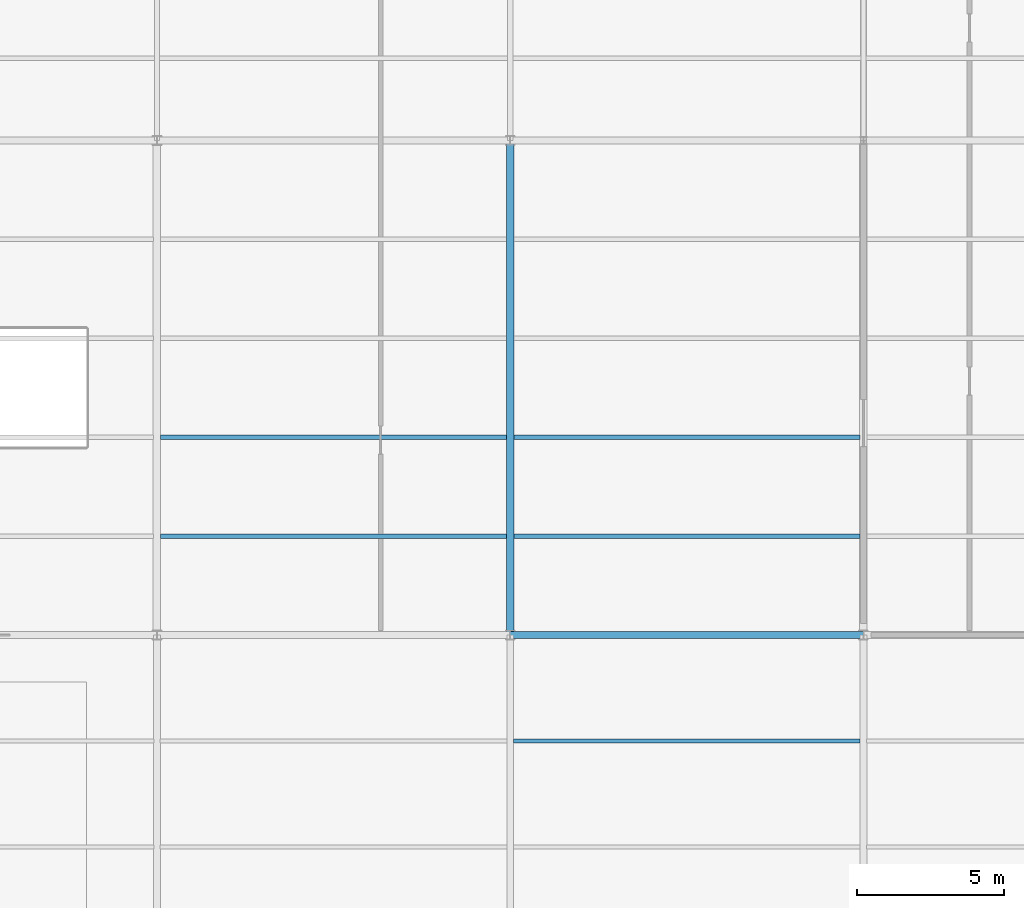
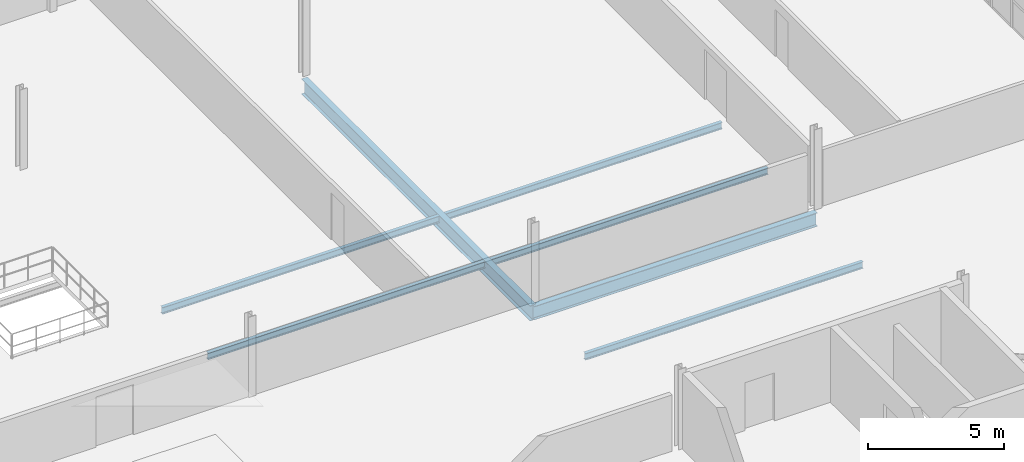
# One storey, part 38 of 79: 7 beams.
"""IFC4 building model written with IfcOpenShell, lengths in metres."""

from ifc_helpers import new_model, si_unit, direction, frame, origin, origin_2d, place, context, subcontext, project, spatial, i_section, extrude, material, material_profile, profile_set, type_object, element, save


model = new_model("IFC4")

# Units and contexts
model_context = context("Model", 3, precision=1e-05, world=origin(), true_north=direction((0.0, 1.0)))
body_context = subcontext(model_context, "Body", "Model", "MODEL_VIEW")
ifc_project = project(units=[si_unit("LENGTHUNIT", "METRE"), si_unit("AREAUNIT", "SQUARE_METRE"), si_unit("VOLUMEUNIT", "CUBIC_METRE"), si_unit("PLANEANGLEUNIT", "RADIAN"), si_unit("MASSUNIT", "GRAM", prefix="KILO"), si_unit("THERMODYNAMICTEMPERATUREUNIT", "KELVIN"), si_unit("POWERUNIT", "WATT")], contexts=[model_context])

# Site, building, storey
site_placement = place(None, origin())
site = spatial("IfcSite", under=ifc_project, at=site_placement, CompositionType="ELEMENT")
building_placement = place(site_placement, origin())
building = spatial("IfcBuilding", under=site, at=building_placement, Name="Tembeka Court Mobility Hub", CompositionType="ELEMENT")
storey_placement = place(building_placement, frame((0.0, 0.0, 9.0)))
storey = spatial("IfcBuildingStorey", under=building, at=storey_placement, Name="L02", CompositionType="ELEMENT", Elevation=9.0)

# Beams
ifc_material = material(Name="Steel S355", Category="steel")
ifc_material_profile_1 = material_profile(ifc_material, i_section(OverallWidth=0.25390625, OverallDepth=0.68408203125, WebThickness=0.012451171875, FlangeThickness=0.01904296875, FilletRadius=0.01513671875, at=origin_2d()), Name="UKB 686x254x140")
ifc_profile_set_1 = profile_set([ifc_material_profile_1], Name="Steel S355")
beam_type_1 = type_object("IfcBeamType", Name="BM-G01", PredefinedType="USERDEFINED", material=ifc_profile_set_1)
beam_1_placement = place(storey_placement, frame((152.39990234375, 21.60009765625, -0.531982421875), z_axis=(0.0, 1.0, 0.0), x_axis=(-1.0, 0.0, 0.0)))
element("IfcBeam", 1, at=beam_1_placement, inside=storey, type_object=beam_type_1, Name="Beam G01 (BM-L02-Y1425)", ObjectType="GIRDER", PredefinedType="USERDEFINED", context=body_context, shape_type="SweptSolid", body=[
    extrude(i_section(OverallWidth=0.25390625, OverallDepth=0.68408203125, WebThickness=0.012451171875, FlangeThickness=0.01904296875, FilletRadius=0.01513671875, at=origin_2d()), origin(), (0.0, 0.0, 1.0), 16.7998046875),
])
ifc_material_profile_2 = material_profile(ifc_material, i_section(OverallWidth=0.22900390625, OverallDepth=0.612060546875, WebThickness=0.011962890625, FlangeThickness=0.01953125, FilletRadius=0.0126953125, at=origin_2d()), Name="UKB 610x229x125")
ifc_profile_set_2 = profile_set([ifc_material_profile_2], Name="Steel S355")
beam_type_2 = type_object("IfcBeamType", Name="BM-G02", PredefinedType="USERDEFINED", material=ifc_profile_set_2)
beam_2_placement = place(storey_placement, frame((152.39990234375, 21.60009765625, -0.49609375), z_axis=(1.0, 0.0, 0.0), x_axis=(0.0, 1.0, 0.0)))
element("IfcBeam", 2, at=beam_2_placement, inside=storey, type_object=beam_type_2, Name="Beam G02 (BM-L02-X1207)", ObjectType="GIRDER", PredefinedType="USERDEFINED", context=body_context, shape_type="SweptSolid", body=[
    extrude(i_section(OverallWidth=0.22900390625, OverallDepth=0.612060546875, WebThickness=0.011962890625, FlangeThickness=0.01953125, FilletRadius=0.0126953125, at=origin_2d()), origin(), (0.0, 0.0, 1.0), 12.0),
])
ifc_material_profile_3 = material_profile(ifc_material, i_section(OverallWidth=0.14990234375, OverallDepth=0.300048828125, WebThickness=0.007080078125, FlangeThickness=0.0107421875, FilletRadius=0.014892578125, at=origin_2d()), Name="IPE 300")
ifc_profile_set_3 = profile_set([ifc_material_profile_3], Name="Steel S355")
beam_type_3 = type_object("IfcBeamType", Name="BM-J04", PredefinedType="JOIST", material=ifc_profile_set_3)
for number, where, z_axis, x_axis, name in (
    (3, (140.52197265625, 24.9599609375, -0.340087890625), (1.0, 0.0, 0.0), (0.0, 1.0, 0.0), "Beam J04 (JST-L02-1653)"),
    (4, (140.52197265625, 28.320068359375, -0.340087890625), (1.0, 0.0, 0.0), (0.0, 1.0, 0.0), "Beam J04 (JST-L02-1654)"),
):
    element("IfcBeam", number, at=place(storey_placement, frame(where, z_axis=z_axis, x_axis=x_axis)), inside=storey, type_object=beam_type_3, Name=name, PredefinedType="JOIST", context=body_context, shape_type="SweptSolid", body=[
        extrude(i_section(OverallWidth=0.14990234375, OverallDepth=0.300048828125, WebThickness=0.007080078125, FlangeThickness=0.0107421875, FilletRadius=0.014892578125, at=origin_2d()), origin(), (0.0, 0.0, 1.0), 11.756103515625),
    ])
beam_3_placement = place(storey_placement, frame((152.509521484375, 18.0, -0.340087890625), z_axis=(1.0, 0.0, 0.0), x_axis=(0.0, 1.0, 0.0)))
element("IfcBeam", 5, at=beam_3_placement, inside=storey, type_object=beam_type_3, Name="Beam J04 (JST-L02-1661)", PredefinedType="JOIST", context=body_context, shape_type="SweptSolid", body=[
    extrude(i_section(OverallWidth=0.14990234375, OverallDepth=0.300048828125, WebThickness=0.007080078125, FlangeThickness=0.0107421875, FilletRadius=0.014892578125, at=origin_2d()), origin(), (0.0, 0.0, 1.0), 11.781005859375),
])
for number, where, z_axis, x_axis, name in (
    (6, (152.52197265625, 24.9599609375, -0.340087890625), (1.0, 0.0, 0.0), (0.0, 1.0, 0.0), "Beam J04 (JST-L02-1662)"),
    (7, (152.52197265625, 28.320068359375, -0.340087890625), (1.0, 0.0, 0.0), (0.0, 1.0, 0.0), "Beam J04 (JST-L02-1663)"),
):
    element("IfcBeam", number, at=place(storey_placement, frame(where, z_axis=z_axis, x_axis=x_axis)), inside=storey, type_object=beam_type_3, Name=name, PredefinedType="JOIST", context=body_context, shape_type="SweptSolid", body=[
        extrude(i_section(OverallWidth=0.14990234375, OverallDepth=0.300048828125, WebThickness=0.007080078125, FlangeThickness=0.0107421875, FilletRadius=0.014892578125, at=origin_2d()), origin(), (0.0, 0.0, 1.0), 11.756103515625),
    ])

save(model, "model.ifc")
